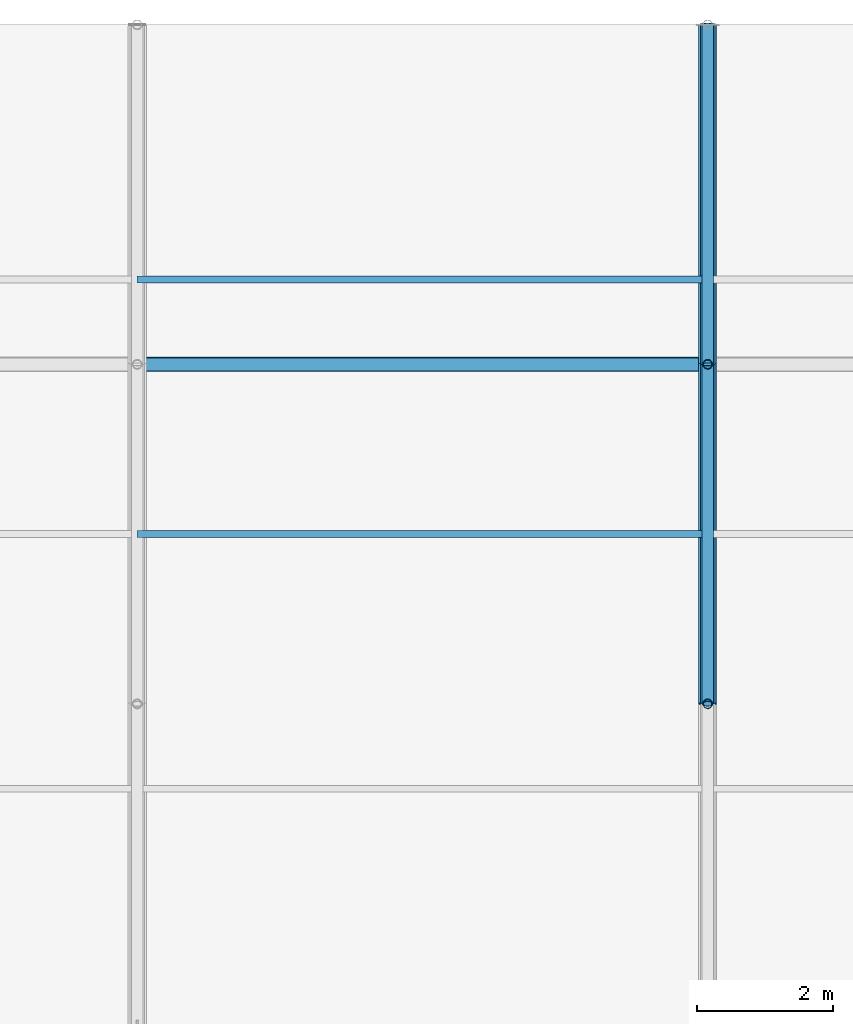
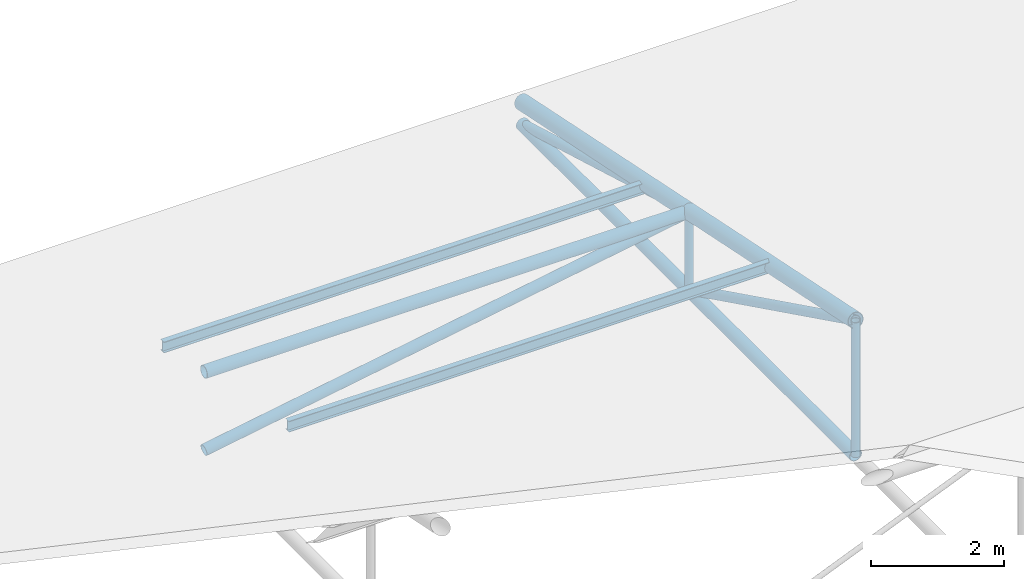
# One storey, part 45 of 194: 10 members, 2 beams.
"""IFC4 building model written with IfcOpenShell, lengths in metres."""

from ifc_helpers import new_model, si_unit, direction, frame, origin, origin_2d, place, context, subcontext, project, spatial, hollow_circle, i_section, extrude, material, material_profile, profile_set, type_object, element, save


model = new_model("IFC4")

# Units and contexts
model_context = context("Model", 3, precision=1e-05, world=origin(), true_north=direction((0.0, 1.0)))
body_context = subcontext(model_context, "Body", "Model", "MODEL_VIEW")
ifc_project = project(units=[si_unit("LENGTHUNIT", "METRE"), si_unit("AREAUNIT", "SQUARE_METRE"), si_unit("VOLUMEUNIT", "CUBIC_METRE"), si_unit("PLANEANGLEUNIT", "RADIAN"), si_unit("MASSUNIT", "GRAM", prefix="KILO")], contexts=[model_context])

# Site, building, storey
site_placement = place(None, origin())
site = spatial("IfcSite", under=ifc_project, at=site_placement, CompositionType="ELEMENT")
building_placement = place(site_placement, origin())
building = spatial("IfcBuilding", under=site, at=building_placement, Name="Kazenagashi Tramway Depot", CompositionType="ELEMENT")
storey_placement = place(building_placement, frame((0.0, 0.0, 23.7)))
storey = spatial("IfcBuildingStorey", under=building, at=storey_placement, Name="ROOF", CompositionType="ELEMENT", Elevation=23.7)

# Beams
ifc_material_1 = material(Name="Steel SN400B", Category="steel")
ifc_material_profile_1 = material_profile(ifc_material_1, i_section(OverallWidth=0.1, OverallDepth=0.2, WebThickness=0.0055, FlangeThickness=0.008, at=origin_2d()), Name="H-200x100x5.5x8")
ifc_profile_set_1 = profile_set([ifc_material_profile_1], Name="Steel SN400B")
beam_type = type_object("IfcBeamType", Name="PR-01", PredefinedType="USERDEFINED", material=ifc_profile_set_1)
for number, where, z_axis, x_axis, name in (
    (1, (61.6, 122.5, -12.13), (1.0, 0.0, 0.0), (0.0, 1.0, 0.0), "Beam PR-01 BM-2200"),
    (2, (61.6, 126.25, -12.955), (1.0, 0.0, 0.0), (0.0, 1.0, 0.0), "Beam PR-01 BM-2218"),
):
    element("IfcBeam", number, at=place(storey_placement, frame(where, z_axis=z_axis, x_axis=x_axis)), inside=storey, type_object=beam_type, Name=name, ObjectType="PURLIN", PredefinedType="USERDEFINED", context=body_context, shape_type="SweptSolid", body=[
        extrude(i_section(OverallWidth=0.1, OverallDepth=0.2, WebThickness=0.0055, FlangeThickness=0.008, at=origin_2d()), origin(), (0.0, 0.0, 1.0), 8.4),
    ])

# Members
ifc_material_2 = material(Name="Steel STK490", Category="steel")
ifc_material_profile_2 = material_profile(ifc_material_2, hollow_circle(Radius=0.1337, WallThickness=0.0093, at=origin_2d()), Name="CHS-267.4x9.3")
ifc_profile_set_2 = profile_set([ifc_material_profile_2], Name="Steel STK490")
member_type_1 = type_object("IfcMemberType", Name="TC-01", PredefinedType="CHORD", material=ifc_profile_set_2)
member_1_placement = place(storey_placement, frame((70.0, 120.0, -11.633), z_axis=(0.0, 0.979279174591, -0.202514933305), x_axis=(-1.0, 0.0, 0.0)))
element("IfcMember", 3, at=member_1_placement, inside=storey, type_object=member_type_1, Name="Tubular Space Frame TC-01 MEM-0227", PredefinedType="CHORD", context=body_context, shape_type="SweptSolid", body=[
    extrude(hollow_circle(Radius=0.1337, WallThickness=0.0093, at=origin_2d()), origin(), (0.0, 0.0, 1.0), 5.105796),
])
member_2_placement = place(storey_placement, frame((70.0, 125.0, -12.667), z_axis=(0.0, 0.979317999984, -0.202327098797), x_axis=(-1.0, 0.0, 0.0)))
element("IfcMember", 4, at=member_2_placement, inside=storey, type_object=member_type_1, Name="Tubular Space Frame TC-01 MEM-0230", PredefinedType="CHORD", context=body_context, shape_type="SweptSolid", body=[
    extrude(hollow_circle(Radius=0.1337, WallThickness=0.0093, at=origin_2d()), origin(), (0.0, 0.0, 1.0), 5.105594),
])
ifc_material_profile_3 = material_profile(ifc_material_2, hollow_circle(Radius=0.10815, WallThickness=0.0082, at=origin_2d()), Name="CHS-216.3x8.2")
ifc_profile_set_3 = profile_set([ifc_material_profile_3], Name="Steel STK490")
member_type_2 = type_object("IfcMemberType", Name="TC-02", PredefinedType="CHORD", material=ifc_profile_set_3)
member_3_placement = place(storey_placement, frame((61.6, 125.0, -12.667), z_axis=(1.0, 0.0, 0.0), x_axis=(0.0, 1.0, 0.0)))
element("IfcMember", 5, at=member_3_placement, inside=storey, type_object=member_type_2, Name="Tubular Space Frame TC-02 MEM-0182", PredefinedType="CHORD", context=body_context, shape_type="SweptSolid", body=[
    extrude(hollow_circle(Radius=0.10815, WallThickness=0.0082, at=origin_2d()), origin(), (0.0, 0.0, 1.0), 8.4),
])
for number, where, z_axis, x_axis, name in (
    (6, (70.0, 120.0, -14.1), (0.0, 1.0, 0.0), (-1.0, 0.0, 0.0), "Tubular Space Frame TC-02 MEM-0228"),
    (7, (70.0, 125.0, -14.1), (0.0, 1.0, 0.0), (-1.0, 0.0, 0.0), "Tubular Space Frame TC-02 MEM-0231"),
):
    element("IfcMember", number, at=place(storey_placement, frame(where, z_axis=z_axis, x_axis=x_axis)), inside=storey, type_object=member_type_2, Name=name, PredefinedType="CHORD", context=body_context, shape_type="SweptSolid", body=[
        extrude(hollow_circle(Radius=0.10815, WallThickness=0.0082, at=origin_2d()), origin(), (0.0, 0.0, 1.0), 5.0),
    ])
ifc_material_profile_4 = material_profile(ifc_material_2, hollow_circle(Radius=0.0826, WallThickness=0.0071, at=origin_2d()), Name="CHS-165.2x7.1")
ifc_profile_set_4 = profile_set([ifc_material_profile_4], Name="Steel STK490")
member_type_3 = type_object("IfcMemberType", Name="TS-01", PredefinedType="STRUT", material=ifc_profile_set_4)
member_4_placement = place(storey_placement, frame((70.0, 120.0, -11.633), z_axis=(0.0, 0.896782162482, -0.442472318969), x_axis=(-1.0, 0.0, 0.0)))
element("IfcMember", 8, at=member_4_placement, inside=storey, type_object=member_type_3, Name="Tubular Space Frame TS-01 MEM-0229", PredefinedType="STRUT", context=body_context, shape_type="SweptSolid", body=[
    extrude(hollow_circle(Radius=0.0826, WallThickness=0.0071, at=origin_2d()), origin(), (0.0, 0.0, 1.0), 5.57549),
])
member_5_placement = place(storey_placement, frame((70.0, 125.0, -12.667), z_axis=(0.0, 0.961298717795, -0.27550821252), x_axis=(-1.0, 0.0, 0.0)))
element("IfcMember", 9, at=member_5_placement, inside=storey, type_object=member_type_3, Name="Tubular Space Frame TS-01 MEM-0232", PredefinedType="STRUT", context=body_context, shape_type="SweptSolid", body=[
    extrude(hollow_circle(Radius=0.0826, WallThickness=0.0071, at=origin_2d()), origin(), (0.0, 0.0, 1.0), 5.201297),
])
ifc_material_profile_5 = material_profile(ifc_material_2, hollow_circle(Radius=0.0699, WallThickness=0.0066, at=origin_2d()), Name="CHS-139.8x6.6")
ifc_profile_set_5 = profile_set([ifc_material_profile_5], Name="Steel STK490")
member_type_4 = type_object("IfcMemberType", Name="TS-02", PredefinedType="STRUT", material=ifc_profile_set_5)
member_6_placement = place(storey_placement, frame((70.0, 120.0, -14.1), z_axis=(0.0, 0.0, 1.0), x_axis=(1.0, 0.0, 0.0)))
element("IfcMember", 10, at=member_6_placement, inside=storey, type_object=member_type_4, Name="Tubular Space Frame TS-02 MEM-0236", PredefinedType="STRUT", context=body_context, shape_type="SweptSolid", body=[
    extrude(hollow_circle(Radius=0.0699, WallThickness=0.0066, at=origin_2d()), origin(), (0.0, 0.0, 1.0), 2.467),
])
member_7_placement = place(storey_placement, frame((70.0, 125.0, -14.1), z_axis=(0.0, 0.0, 1.0), x_axis=(1.0, 0.0, 0.0)))
element("IfcMember", 11, at=member_7_placement, inside=storey, type_object=member_type_4, Name="Tubular Space Frame TS-02 MEM-0237", PredefinedType="STRUT", context=body_context, shape_type="SweptSolid", body=[
    extrude(hollow_circle(Radius=0.0699, WallThickness=0.0066, at=origin_2d()), origin(), (0.0, 0.0, 1.0), 1.433),
])
ifc_material_profile_6 = material_profile(ifc_material_2, hollow_circle(Radius=0.09535, WallThickness=0.007, at=origin_2d()), Name="CHS-190.7x7.0")
ifc_profile_set_6 = profile_set([ifc_material_profile_6], Name="Steel STK490")
member_type_5 = type_object("IfcMemberType", Name="TS-05", PredefinedType="STRUT", material=ifc_profile_set_6)
member_8_placement = place(storey_placement, frame((61.6, 125.0, -14.1), z_axis=(0.985758734117, 0.0, 0.168165745951), x_axis=(0.0, 1.0, 0.0)))
element("IfcMember", 12, at=member_8_placement, inside=storey, type_object=member_type_5, Name="Tubular Space Frame TS-05 MEM-0183", PredefinedType="STRUT", context=body_context, shape_type="SweptSolid", body=[
    extrude(hollow_circle(Radius=0.09535, WallThickness=0.007, at=origin_2d()), origin(), (0.0, 0.0, 1.0), 8.521355),
])

save(model, "model.ifc")
